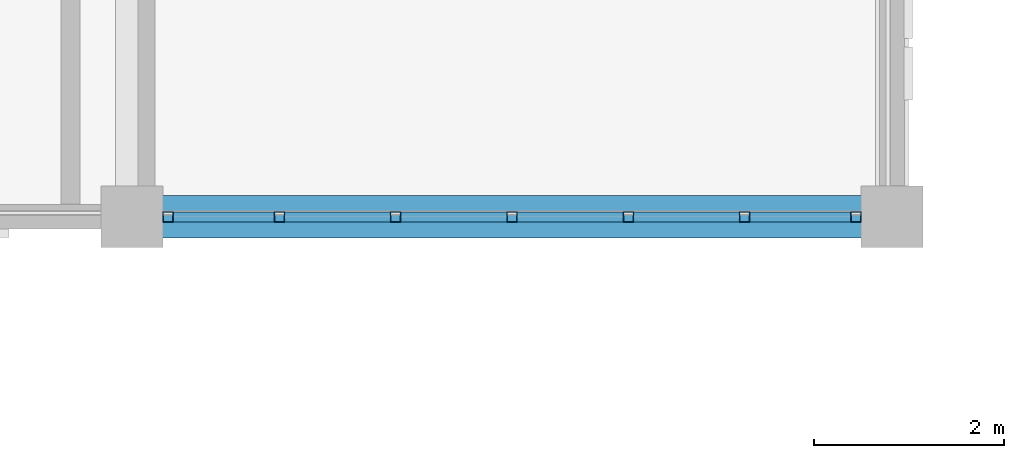
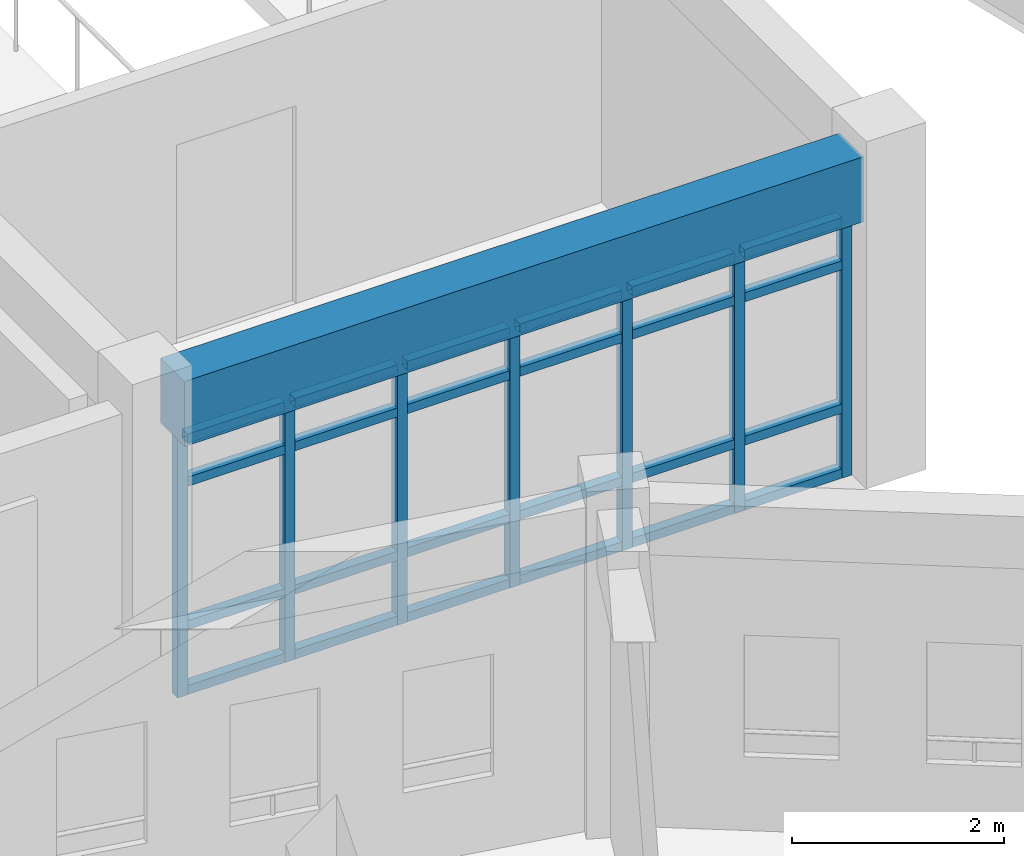
# One storey, part 19 of 112: 31 members, 1 beam, 1 element without a shape of its own.
"""IFC4 building model written with IfcOpenShell, lengths in metres."""

from ifc_helpers import new_model, si_unit, direction, frame, origin, origin_2d, place, context, subcontext, project, spatial, rectangle, hollow_rectangle, extrude, material, material_profile, profile_set, type_object, element, aggregate, save


model = new_model("IFC4")

# Units and contexts
model_context = context("Model", 3, precision=1e-05, world=origin(), true_north=direction((0.0, 1.0)))
body_context = subcontext(model_context, "Body", "Model", "MODEL_VIEW")
ifc_project = project(units=[si_unit("LENGTHUNIT", "METRE"), si_unit("AREAUNIT", "SQUARE_METRE"), si_unit("VOLUMEUNIT", "CUBIC_METRE"), si_unit("PLANEANGLEUNIT", "RADIAN"), si_unit("MASSUNIT", "GRAM", prefix="KILO")], contexts=[model_context])

# Site, building, storey
site_placement = place(None, origin())
site = spatial("IfcSite", under=ifc_project, at=site_placement, CompositionType="ELEMENT")
building_placement = place(site_placement, origin())
building = spatial("IfcBuilding", under=site, at=building_placement, Name="Celadon Cloister-Ring School", CompositionType="ELEMENT")
storey_placement = place(building_placement, frame((0.0, 0.0, 8.5)))
storey = spatial("IfcBuildingStorey", under=building, at=storey_placement, Name="L02", CompositionType="ELEMENT", Elevation=8.5)

# Curtain wall, members
ifc_material_1 = material(Name="Aluminium EN AW-6063 T6", Category="aluminium")
curtain_wall_type = type_object("IfcCurtainWallType", Name="CW-15", PredefinedType="USERDEFINED", material=ifc_material_1)
curtain_wall_placement = place(storey_placement, origin())
curtain_wall = element("IfcCurtainWall", 1, at=curtain_wall_placement, inside=storey, type_object=curtain_wall_type, Name="Curtain Wall 0201", ObjectType="CURTAIN WALL", PredefinedType="USERDEFINED")
ifc_material_2 = material(Name="Aluminium EN AW-6063 T6", Category="aluminium")
ifc_material_profile_1 = material_profile(ifc_material_2, hollow_rectangle(XDim=0.110107421875, YDim=0.110107421875, WallThickness=0.0048828125, at=origin_2d()), Name="RHS110X110X5")
ifc_profile_set_1 = profile_set([ifc_material_profile_1], Name="Aluminium EN AW-6063 T6")
member_type_1 = type_object("IfcMemberType", Name="CM-01", PredefinedType="MULLION", material=ifc_profile_set_1)
member_1_placement = place(storey_placement, frame((31.6201171875, 40.0, 0.0), z_axis=(0.0, 0.0, 1.0), x_axis=(0.0, -1.0, 0.0)))
member_1 = element("IfcMember", 2, at=member_1_placement, type_object=member_type_1, Name="CW-15 mullion 1", PredefinedType="MULLION", context=body_context, shape_type="SweptSolid", body=[
    extrude(hollow_rectangle(XDim=0.110107421875, YDim=0.110107421875, WallThickness=0.0048828125, at=origin_2d()), origin(), (0.0, 0.0, 1.0), 3.001953125),
])
member_2_placement = place(storey_placement, frame((30.449951171875, 40.0, 0.0), z_axis=(0.0, 0.0, 1.0), x_axis=(0.0, -1.0, 0.0)))
member_2 = element("IfcMember", 3, at=member_2_placement, type_object=member_type_1, Name="CW-15 mullion 2", PredefinedType="MULLION", context=body_context, shape_type="SweptSolid", body=[
    extrude(hollow_rectangle(XDim=0.110107421875, YDim=0.110107421875, WallThickness=0.0048828125, at=origin_2d()), origin(), (0.0, 0.0, 1.0), 3.001953125),
])
member_3_placement = place(storey_placement, frame((29.22509765625, 40.0, 0.0), z_axis=(0.0, 0.0, 1.0), x_axis=(0.0, -1.0, 0.0)))
member_3 = element("IfcMember", 4, at=member_3_placement, type_object=member_type_1, Name="CW-15 mullion 3", PredefinedType="MULLION", context=body_context, shape_type="SweptSolid", body=[
    extrude(hollow_rectangle(XDim=0.110107421875, YDim=0.110107421875, WallThickness=0.0048828125, at=origin_2d()), origin(), (0.0, 0.0, 1.0), 3.001953125),
])
member_4_placement = place(storey_placement, frame((28.0, 40.0, 0.0), z_axis=(0.0, 0.0, 1.0), x_axis=(0.0, -1.0, 0.0)))
member_4 = element("IfcMember", 5, at=member_4_placement, type_object=member_type_1, Name="CW-15 mullion 4", PredefinedType="MULLION", context=body_context, shape_type="SweptSolid", body=[
    extrude(hollow_rectangle(XDim=0.110107421875, YDim=0.110107421875, WallThickness=0.0048828125, at=origin_2d()), origin(), (0.0, 0.0, 1.0), 3.001953125),
])
member_5_placement = place(storey_placement, frame((26.77490234375, 40.0, 0.0), z_axis=(0.0, 0.0, 1.0), x_axis=(0.0, -1.0, 0.0)))
member_5 = element("IfcMember", 6, at=member_5_placement, type_object=member_type_1, Name="CW-15 mullion 5", PredefinedType="MULLION", context=body_context, shape_type="SweptSolid", body=[
    extrude(hollow_rectangle(XDim=0.110107421875, YDim=0.110107421875, WallThickness=0.0048828125, at=origin_2d()), origin(), (0.0, 0.0, 1.0), 3.001953125),
])
member_6_placement = place(storey_placement, frame((25.550048828125, 40.0, 0.0), z_axis=(0.0, 0.0, 1.0), x_axis=(0.0, -1.0, 0.0)))
member_6 = element("IfcMember", 7, at=member_6_placement, type_object=member_type_1, Name="CW-15 mullion 6", PredefinedType="MULLION", context=body_context, shape_type="SweptSolid", body=[
    extrude(hollow_rectangle(XDim=0.110107421875, YDim=0.110107421875, WallThickness=0.0048828125, at=origin_2d()), origin(), (0.0, 0.0, 1.0), 3.001953125),
])
member_7_placement = place(storey_placement, frame((24.3798828125, 40.0, 0.0), z_axis=(0.0, 0.0, 1.0), x_axis=(0.0, -1.0, 0.0)))
member_7 = element("IfcMember", 8, at=member_7_placement, type_object=member_type_1, Name="CW-15 mullion 7", PredefinedType="MULLION", context=body_context, shape_type="SweptSolid", body=[
    extrude(hollow_rectangle(XDim=0.110107421875, YDim=0.110107421875, WallThickness=0.0048828125, at=origin_2d()), origin(), (0.0, 0.0, 1.0), 3.001953125),
])
ifc_material_3 = material(Name="Aluminium EN AW-6063 T6", Category="aluminium")
ifc_material_profile_2 = material_profile(ifc_material_3, hollow_rectangle(XDim=0.10498046875, YDim=0.10498046875, WallThickness=0.0048828125, at=origin_2d()), Name="RHS105X105X5")
ifc_profile_set_2 = profile_set([ifc_material_profile_2], Name="Aluminium EN AW-6063 T6")
member_type_2 = type_object("IfcMemberType", Name="CTM-01", PredefinedType="USERDEFINED", material=ifc_profile_set_2)
member_8_placement = place(storey_placement, frame((31.56494140625, 40.0, 0.052490234375), z_axis=(-1.0, 0.0, 0.0), x_axis=(0.0, -1.0, 0.0)))
member_8 = element("IfcMember", 9, at=member_8_placement, type_object=member_type_2, Name="CW-15 transom 1.1", ObjectType="TRANSOM", PredefinedType="USERDEFINED", context=body_context, shape_type="SweptSolid", body=[
    extrude(hollow_rectangle(XDim=0.10498046875, YDim=0.10498046875, WallThickness=0.0048828125, at=origin_2d()), origin(), (0.0, 0.0, 1.0), 1.06005859375),
])
member_9_placement = place(storey_placement, frame((31.56494140625, 40.0, 0.800048828125), z_axis=(-1.0, 0.0, 0.0), x_axis=(0.0, -1.0, 0.0)))
member_9 = element("IfcMember", 10, at=member_9_placement, type_object=member_type_2, Name="CW-15 transom 1.2", ObjectType="TRANSOM", PredefinedType="USERDEFINED", context=body_context, shape_type="SweptSolid", body=[
    extrude(hollow_rectangle(XDim=0.10498046875, YDim=0.10498046875, WallThickness=0.0048828125, at=origin_2d()), origin(), (0.0, 0.0, 1.0), 1.06005859375),
])
member_10_placement = place(storey_placement, frame((31.56494140625, 40.0, 2.451904296875), z_axis=(-1.0, 0.0, 0.0), x_axis=(0.0, -1.0, 0.0)))
member_10 = element("IfcMember", 11, at=member_10_placement, type_object=member_type_2, Name="CW-15 transom 1.3", ObjectType="TRANSOM", PredefinedType="USERDEFINED", context=body_context, shape_type="SweptSolid", body=[
    extrude(hollow_rectangle(XDim=0.10498046875, YDim=0.10498046875, WallThickness=0.0048828125, at=origin_2d()), origin(), (0.0, 0.0, 1.0), 1.06005859375),
])
member_11_placement = place(storey_placement, frame((31.56494140625, 40.0, 2.949462890625), z_axis=(-1.0, 0.0, 0.0), x_axis=(0.0, -1.0, 0.0)))
member_11 = element("IfcMember", 12, at=member_11_placement, type_object=member_type_2, Name="CW-15 transom 1.4", ObjectType="TRANSOM", PredefinedType="USERDEFINED", context=body_context, shape_type="SweptSolid", body=[
    extrude(hollow_rectangle(XDim=0.10498046875, YDim=0.10498046875, WallThickness=0.0048828125, at=origin_2d()), origin(), (0.0, 0.0, 1.0), 1.06005859375),
])
member_12_placement = place(storey_placement, frame((30.39501953125, 40.0, 0.052490234375), z_axis=(-1.0, 0.0, 0.0), x_axis=(0.0, -1.0, 0.0)))
member_12 = element("IfcMember", 13, at=member_12_placement, type_object=member_type_2, Name="CW-15 transom 2.1", ObjectType="TRANSOM", PredefinedType="USERDEFINED", context=body_context, shape_type="SweptSolid", body=[
    extrude(hollow_rectangle(XDim=0.10498046875, YDim=0.10498046875, WallThickness=0.0048828125, at=origin_2d()), origin(), (0.0, 0.0, 1.0), 1.114990234375),
])
member_13_placement = place(storey_placement, frame((30.39501953125, 40.0, 0.800048828125), z_axis=(-1.0, 0.0, 0.0), x_axis=(0.0, -1.0, 0.0)))
member_13 = element("IfcMember", 14, at=member_13_placement, type_object=member_type_2, Name="CW-15 transom 2.2", ObjectType="TRANSOM", PredefinedType="USERDEFINED", context=body_context, shape_type="SweptSolid", body=[
    extrude(hollow_rectangle(XDim=0.10498046875, YDim=0.10498046875, WallThickness=0.0048828125, at=origin_2d()), origin(), (0.0, 0.0, 1.0), 1.114990234375),
])
member_14_placement = place(storey_placement, frame((30.39501953125, 40.0, 2.451904296875), z_axis=(-1.0, 0.0, 0.0), x_axis=(0.0, -1.0, 0.0)))
member_14 = element("IfcMember", 15, at=member_14_placement, type_object=member_type_2, Name="CW-15 transom 2.3", ObjectType="TRANSOM", PredefinedType="USERDEFINED", context=body_context, shape_type="SweptSolid", body=[
    extrude(hollow_rectangle(XDim=0.10498046875, YDim=0.10498046875, WallThickness=0.0048828125, at=origin_2d()), origin(), (0.0, 0.0, 1.0), 1.114990234375),
])
member_15_placement = place(storey_placement, frame((30.39501953125, 40.0, 2.949462890625), z_axis=(-1.0, 0.0, 0.0), x_axis=(0.0, -1.0, 0.0)))
member_15 = element("IfcMember", 16, at=member_15_placement, type_object=member_type_2, Name="CW-15 transom 2.4", ObjectType="TRANSOM", PredefinedType="USERDEFINED", context=body_context, shape_type="SweptSolid", body=[
    extrude(hollow_rectangle(XDim=0.10498046875, YDim=0.10498046875, WallThickness=0.0048828125, at=origin_2d()), origin(), (0.0, 0.0, 1.0), 1.114990234375),
])
member_16_placement = place(storey_placement, frame((29.169921875, 40.0, 0.052490234375), z_axis=(-1.0, 0.0, 0.0), x_axis=(0.0, -1.0, 0.0)))
member_16 = element("IfcMember", 17, at=member_16_placement, type_object=member_type_2, Name="CW-15 transom 3.1", ObjectType="TRANSOM", PredefinedType="USERDEFINED", context=body_context, shape_type="SweptSolid", body=[
    extrude(hollow_rectangle(XDim=0.10498046875, YDim=0.10498046875, WallThickness=0.0048828125, at=origin_2d()), origin(), (0.0, 0.0, 1.0), 1.114990234375),
])
member_17_placement = place(storey_placement, frame((29.169921875, 40.0, 0.800048828125), z_axis=(-1.0, 0.0, 0.0), x_axis=(0.0, -1.0, 0.0)))
member_17 = element("IfcMember", 18, at=member_17_placement, type_object=member_type_2, Name="CW-15 transom 3.2", ObjectType="TRANSOM", PredefinedType="USERDEFINED", context=body_context, shape_type="SweptSolid", body=[
    extrude(hollow_rectangle(XDim=0.10498046875, YDim=0.10498046875, WallThickness=0.0048828125, at=origin_2d()), origin(), (0.0, 0.0, 1.0), 1.114990234375),
])
member_18_placement = place(storey_placement, frame((29.169921875, 40.0, 2.451904296875), z_axis=(-1.0, 0.0, 0.0), x_axis=(0.0, -1.0, 0.0)))
member_18 = element("IfcMember", 19, at=member_18_placement, type_object=member_type_2, Name="CW-15 transom 3.3", ObjectType="TRANSOM", PredefinedType="USERDEFINED", context=body_context, shape_type="SweptSolid", body=[
    extrude(hollow_rectangle(XDim=0.10498046875, YDim=0.10498046875, WallThickness=0.0048828125, at=origin_2d()), origin(), (0.0, 0.0, 1.0), 1.114990234375),
])
member_19_placement = place(storey_placement, frame((29.169921875, 40.0, 2.949462890625), z_axis=(-1.0, 0.0, 0.0), x_axis=(0.0, -1.0, 0.0)))
member_19 = element("IfcMember", 20, at=member_19_placement, type_object=member_type_2, Name="CW-15 transom 3.4", ObjectType="TRANSOM", PredefinedType="USERDEFINED", context=body_context, shape_type="SweptSolid", body=[
    extrude(hollow_rectangle(XDim=0.10498046875, YDim=0.10498046875, WallThickness=0.0048828125, at=origin_2d()), origin(), (0.0, 0.0, 1.0), 1.114990234375),
])
member_20_placement = place(storey_placement, frame((27.945068359375, 40.0, 0.052490234375), z_axis=(-1.0, 0.0, 0.0), x_axis=(0.0, -1.0, 0.0)))
member_20 = element("IfcMember", 21, at=member_20_placement, type_object=member_type_2, Name="CW-15 transom 4.1", ObjectType="TRANSOM", PredefinedType="USERDEFINED", context=body_context, shape_type="SweptSolid", body=[
    extrude(hollow_rectangle(XDim=0.10498046875, YDim=0.10498046875, WallThickness=0.0048828125, at=origin_2d()), origin(), (0.0, 0.0, 1.0), 1.114990234375),
])
member_21_placement = place(storey_placement, frame((27.945068359375, 40.0, 0.800048828125), z_axis=(-1.0, 0.0, 0.0), x_axis=(0.0, -1.0, 0.0)))
member_21 = element("IfcMember", 22, at=member_21_placement, type_object=member_type_2, Name="CW-15 transom 4.2", ObjectType="TRANSOM", PredefinedType="USERDEFINED", context=body_context, shape_type="SweptSolid", body=[
    extrude(hollow_rectangle(XDim=0.10498046875, YDim=0.10498046875, WallThickness=0.0048828125, at=origin_2d()), origin(), (0.0, 0.0, 1.0), 1.114990234375),
])
member_22_placement = place(storey_placement, frame((27.945068359375, 40.0, 2.451904296875), z_axis=(-1.0, 0.0, 0.0), x_axis=(0.0, -1.0, 0.0)))
member_22 = element("IfcMember", 23, at=member_22_placement, type_object=member_type_2, Name="CW-15 transom 4.3", ObjectType="TRANSOM", PredefinedType="USERDEFINED", context=body_context, shape_type="SweptSolid", body=[
    extrude(hollow_rectangle(XDim=0.10498046875, YDim=0.10498046875, WallThickness=0.0048828125, at=origin_2d()), origin(), (0.0, 0.0, 1.0), 1.114990234375),
])
member_23_placement = place(storey_placement, frame((27.945068359375, 40.0, 2.949462890625), z_axis=(-1.0, 0.0, 0.0), x_axis=(0.0, -1.0, 0.0)))
member_23 = element("IfcMember", 24, at=member_23_placement, type_object=member_type_2, Name="CW-15 transom 4.4", ObjectType="TRANSOM", PredefinedType="USERDEFINED", context=body_context, shape_type="SweptSolid", body=[
    extrude(hollow_rectangle(XDim=0.10498046875, YDim=0.10498046875, WallThickness=0.0048828125, at=origin_2d()), origin(), (0.0, 0.0, 1.0), 1.114990234375),
])
member_24_placement = place(storey_placement, frame((26.719970703125, 40.0, 0.052490234375), z_axis=(-1.0, 0.0, 0.0), x_axis=(0.0, -1.0, 0.0)))
member_24 = element("IfcMember", 25, at=member_24_placement, type_object=member_type_2, Name="CW-15 transom 5.1", ObjectType="TRANSOM", PredefinedType="USERDEFINED", context=body_context, shape_type="SweptSolid", body=[
    extrude(hollow_rectangle(XDim=0.10498046875, YDim=0.10498046875, WallThickness=0.0048828125, at=origin_2d()), origin(), (0.0, 0.0, 1.0), 1.114990234375),
])
member_25_placement = place(storey_placement, frame((26.719970703125, 40.0, 0.800048828125), z_axis=(-1.0, 0.0, 0.0), x_axis=(0.0, -1.0, 0.0)))
member_25 = element("IfcMember", 26, at=member_25_placement, type_object=member_type_2, Name="CW-15 transom 5.2", ObjectType="TRANSOM", PredefinedType="USERDEFINED", context=body_context, shape_type="SweptSolid", body=[
    extrude(hollow_rectangle(XDim=0.10498046875, YDim=0.10498046875, WallThickness=0.0048828125, at=origin_2d()), origin(), (0.0, 0.0, 1.0), 1.114990234375),
])
member_26_placement = place(storey_placement, frame((26.719970703125, 40.0, 2.451904296875), z_axis=(-1.0, 0.0, 0.0), x_axis=(0.0, -1.0, 0.0)))
member_26 = element("IfcMember", 27, at=member_26_placement, type_object=member_type_2, Name="CW-15 transom 5.3", ObjectType="TRANSOM", PredefinedType="USERDEFINED", context=body_context, shape_type="SweptSolid", body=[
    extrude(hollow_rectangle(XDim=0.10498046875, YDim=0.10498046875, WallThickness=0.0048828125, at=origin_2d()), origin(), (0.0, 0.0, 1.0), 1.114990234375),
])
member_27_placement = place(storey_placement, frame((26.719970703125, 40.0, 2.949462890625), z_axis=(-1.0, 0.0, 0.0), x_axis=(0.0, -1.0, 0.0)))
member_27 = element("IfcMember", 28, at=member_27_placement, type_object=member_type_2, Name="CW-15 transom 5.4", ObjectType="TRANSOM", PredefinedType="USERDEFINED", context=body_context, shape_type="SweptSolid", body=[
    extrude(hollow_rectangle(XDim=0.10498046875, YDim=0.10498046875, WallThickness=0.0048828125, at=origin_2d()), origin(), (0.0, 0.0, 1.0), 1.114990234375),
])
member_28_placement = place(storey_placement, frame((25.4951171875, 40.0, 0.052490234375), z_axis=(-1.0, 0.0, 0.0), x_axis=(0.0, -1.0, 0.0)))
member_28 = element("IfcMember", 29, at=member_28_placement, type_object=member_type_2, Name="CW-15 transom 6.1", ObjectType="TRANSOM", PredefinedType="USERDEFINED", context=body_context, shape_type="SweptSolid", body=[
    extrude(hollow_rectangle(XDim=0.10498046875, YDim=0.10498046875, WallThickness=0.0048828125, at=origin_2d()), origin(), (0.0, 0.0, 1.0), 1.06005859375),
])
member_29_placement = place(storey_placement, frame((25.4951171875, 40.0, 0.800048828125), z_axis=(-1.0, 0.0, 0.0), x_axis=(0.0, -1.0, 0.0)))
member_29 = element("IfcMember", 30, at=member_29_placement, type_object=member_type_2, Name="CW-15 transom 6.2", ObjectType="TRANSOM", PredefinedType="USERDEFINED", context=body_context, shape_type="SweptSolid", body=[
    extrude(hollow_rectangle(XDim=0.10498046875, YDim=0.10498046875, WallThickness=0.0048828125, at=origin_2d()), origin(), (0.0, 0.0, 1.0), 1.06005859375),
])
member_30_placement = place(storey_placement, frame((25.4951171875, 40.0, 2.451904296875), z_axis=(-1.0, 0.0, 0.0), x_axis=(0.0, -1.0, 0.0)))
member_30 = element("IfcMember", 31, at=member_30_placement, type_object=member_type_2, Name="CW-15 transom 6.3", ObjectType="TRANSOM", PredefinedType="USERDEFINED", context=body_context, shape_type="SweptSolid", body=[
    extrude(hollow_rectangle(XDim=0.10498046875, YDim=0.10498046875, WallThickness=0.0048828125, at=origin_2d()), origin(), (0.0, 0.0, 1.0), 1.06005859375),
])
member_31_placement = place(storey_placement, frame((25.4951171875, 40.0, 2.949462890625), z_axis=(-1.0, 0.0, 0.0), x_axis=(0.0, -1.0, 0.0)))
member_31 = element("IfcMember", 32, at=member_31_placement, type_object=member_type_2, Name="CW-15 transom 6.4", ObjectType="TRANSOM", PredefinedType="USERDEFINED", context=body_context, shape_type="SweptSolid", body=[
    extrude(hollow_rectangle(XDim=0.10498046875, YDim=0.10498046875, WallThickness=0.0048828125, at=origin_2d()), origin(), (0.0, 0.0, 1.0), 1.06005859375),
])
aggregate(curtain_wall, [member_1, member_2, member_3, member_4, member_5, member_6, member_7, member_8, member_9, member_10, member_11, member_12, member_13, member_14, member_15, member_16, member_17, member_18, member_19, member_20, member_21, member_22, member_23, member_24, member_25, member_26, member_27, member_28, member_29, member_30, member_31])

# Beam
ifc_material_4 = material(Name="Concrete C35/45", Category="concrete")
ifc_material_profile_3 = material_profile(ifc_material_4, rectangle(XDim=0.449951171875, YDim=0.75, at=origin_2d()), Name="RC450X750")
ifc_profile_set_3 = profile_set([ifc_material_profile_3], Name="Concrete C35/45")
beam_type = type_object("IfcBeamType", Name="GT-02", PredefinedType="USERDEFINED", material=ifc_profile_set_3)
beam_placement = place(storey_placement, frame((24.300048828125, 40.0, 3.385009765625), z_axis=(1.0, 0.0, 0.0), x_axis=(0.0, 1.0, 0.0)))
element("IfcBeam", 33, at=beam_placement, inside=storey, type_object=beam_type, Name="Beam 1558", ObjectType="GIRDER", PredefinedType="USERDEFINED", context=body_context, shape_type="SweptSolid", body=[
    extrude(rectangle(XDim=0.449951171875, YDim=0.75, at=origin_2d()), origin(), (0.0, 0.0, 1.0), 7.39990234375),
])

save(model, "model.ifc")
